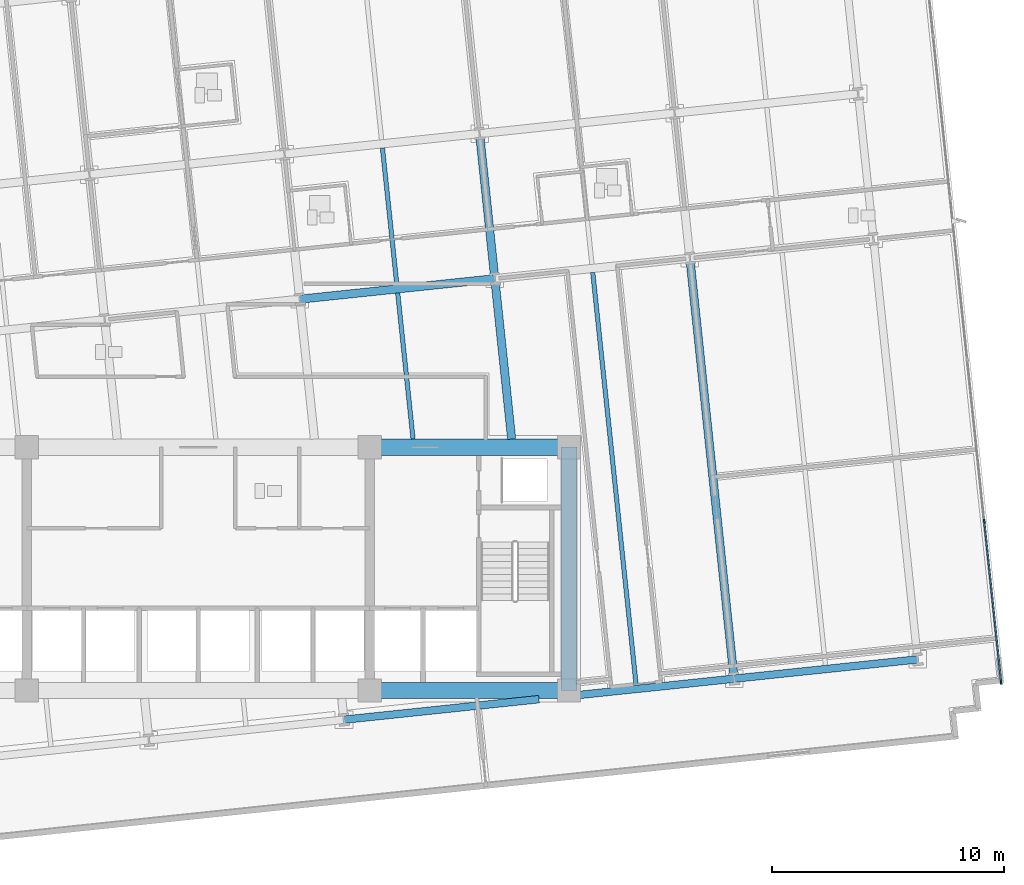
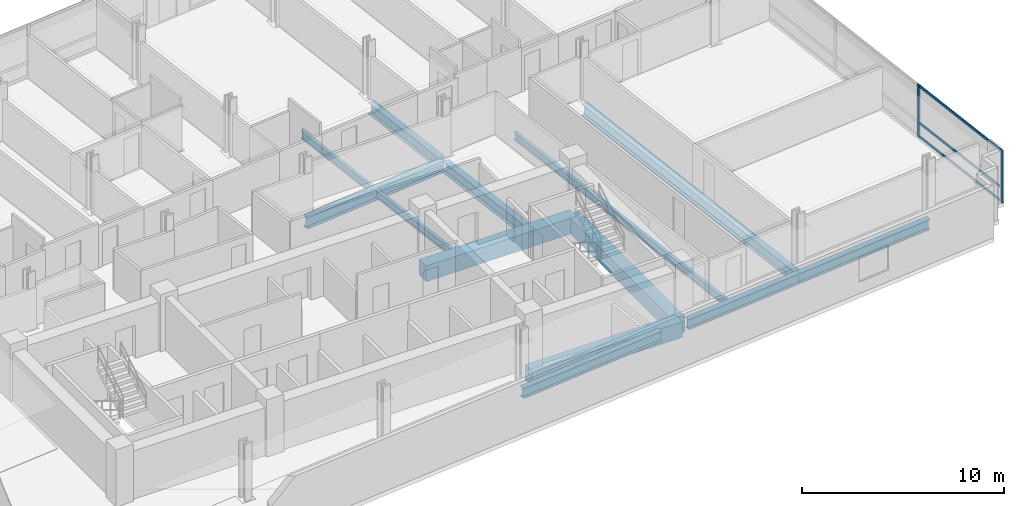
# One storey, part 4 of 19: 13 beams, 5 members, 1 element without a shape of its own.
"""IFC4 building model written with IfcOpenShell, lengths in metres."""

from ifc_helpers import new_model, si_unit, direction, frame, origin, origin_2d, place, context, subcontext, project, spatial, rectangle, i_section, extrude, material, material_profile, profile_set, type_object, element, aggregate, save


model = new_model("IFC4")

# Units and contexts
model_context = context("Model", 3, precision=1e-05, world=origin(), true_north=direction((0.0, 1.0)))
body_context = subcontext(model_context, "Body", "Model", "MODEL_VIEW")
ifc_project = project(units=[si_unit("LENGTHUNIT", "METRE"), si_unit("AREAUNIT", "SQUARE_METRE"), si_unit("VOLUMEUNIT", "CUBIC_METRE"), si_unit("PLANEANGLEUNIT", "RADIAN"), si_unit("MASSUNIT", "GRAM", prefix="KILO")], contexts=[model_context])

# Site, building, storey
site_placement = place(None, origin())
site = spatial("IfcSite", under=ifc_project, at=site_placement, CompositionType="ELEMENT")
building_placement = place(site_placement, origin())
building = spatial("IfcBuilding", under=site, at=building_placement, Name="Solmavex Isthmus Hotel", CompositionType="ELEMENT")
storey_placement = place(building_placement, frame((0.0, 0.0, 83.550048828125)))
storey = spatial("IfcBuildingStorey", under=building, at=storey_placement, Name="L22", CompositionType="ELEMENT", Elevation=83.550048828125)

# Beams
ifc_material_1 = material(Name="Steel ASTM A992 Grade 50", Category="steel")
ifc_material_profile_1 = material_profile(ifc_material_1, i_section(OverallWidth=0.354736328125, OverallDepth=0.695556640625, WebThickness=0.015380859375, FlangeThickness=0.02490234375, FilletRadius=0.017822265625, at=origin_2d()), Name="W27X146")
ifc_profile_set_1 = profile_set([ifc_material_profile_1], Name="Steel ASTM A992 Grade 50")
beam_type_1 = type_object("IfcBeamType", Name="BM-BG-W27X146", PredefinedType="BEAM", material=ifc_profile_set_1)
beam_1_placement = place(storey_placement, frame((4.38037109375, 3.888427734375, -0.60791015625), z_axis=(0.994521085209, 0.104536171134, 0.0), x_axis=(-0.104536171134, 0.994521085209, 0.0)))
element("IfcBeam", 1, at=beam_1_placement, inside=storey, type_object=beam_type_1, Name="Floor Girder L22-UG10", PredefinedType="BEAM", context=body_context, shape_type="SweptSolid", body=[
    extrude(i_section(OverallWidth=0.354736328125, OverallDepth=0.695556640625, WebThickness=0.015380859375, FlangeThickness=0.02490234375, FilletRadius=0.017822265625, at=origin_2d()), origin(), (0.0, 0.0, 1.0), 8.466064453125),
])
beam_2_placement = place(storey_placement, frame((13.52783203125, -2.14990234375, -0.60791015625), z_axis=(-0.104544283528, 0.994520232465, 0.0), x_axis=(-0.994520232465, -0.104544283528, 0.0)))
element("IfcBeam", 2, at=beam_2_placement, inside=storey, type_object=beam_type_1, Name="Floor Beam L22-VG40", PredefinedType="BEAM", context=body_context, shape_type="SweptSolid", body=[
    extrude(i_section(OverallWidth=0.354736328125, OverallDepth=0.695556640625, WebThickness=0.015380859375, FlangeThickness=0.02490234375, FilletRadius=0.017822265625, at=origin_2d()), origin(), (0.0, 0.0, 1.0), 6.783935546875),
])
beam_3_placement = place(storey_placement, frame((12.781494140625, 4.949951171875, -0.60791015625), z_axis=(-0.104505160346, 0.994524344328, 0.0), x_axis=(-0.994524344328, -0.104505160346, 0.0)))
element("IfcBeam", 3, at=beam_3_placement, inside=storey, type_object=beam_type_1, Name="Floor Beam L22-VG41", PredefinedType="BEAM", context=body_context, shape_type="SweptSolid", body=[
    extrude(i_section(OverallWidth=0.354736328125, OverallDepth=0.695556640625, WebThickness=0.015380859375, FlangeThickness=0.02490234375, FilletRadius=0.017822265625, at=origin_2d()), origin(), (0.0, 0.0, 1.0), 5.943115234375),
])
beam_4_placement = place(storey_placement, frame((23.1103515625, -12.329345703125, -0.60791015625), z_axis=(-0.104530088192, 0.99452172458, 0.0), x_axis=(-0.99452172458, -0.104530088192, 0.0)))
element("IfcBeam", 4, at=beam_4_placement, inside=storey, type_object=beam_type_1, Name="Floor Beam L22-VG43", PredefinedType="BEAM", context=body_context, shape_type="SweptSolid", body=[
    extrude(i_section(OverallWidth=0.354736328125, OverallDepth=0.695556640625, WebThickness=0.015380859375, FlangeThickness=0.02490234375, FilletRadius=0.017822265625, at=origin_2d()), origin(), (0.0, 0.0, 1.0), 17.909423828125),
])
ifc_material_profile_2 = material_profile(ifc_material_1, i_section(OverallWidth=0.1904296875, OverallDepth=0.456787109375, WebThickness=0.009033203125, FlangeThickness=0.014404296875, FilletRadius=0.0126953125, at=origin_2d()), Name="W18X50")
ifc_profile_set_2 = profile_set([ifc_material_profile_2], Name="Steel ASTM A992 Grade 50")
beam_type_2 = type_object("IfcBeamType", Name="BM-BJ-W18X50", PredefinedType="JOIST", material=ifc_profile_set_2)
beam_5_placement = place(storey_placement, frame((9.271484375, -2.14990234375, -0.488525390625), z_axis=(-0.104524400071, 0.994522322419, 0.0), x_axis=(-0.994522322419, -0.104524400071, 0.0)))
element("IfcBeam", 5, at=beam_5_placement, inside=storey, type_object=beam_type_2, Name="Secondary Floor Joist L22-J13", PredefinedType="JOIST", context=body_context, shape_type="SweptSolid", body=[
    extrude(i_section(OverallWidth=0.1904296875, OverallDepth=0.456787109375, WebThickness=0.009033203125, FlangeThickness=0.014404296875, FilletRadius=0.0126953125, at=origin_2d()), origin(), (0.0, 0.0, 1.0), 6.339111328125),
])
beam_6_placement = place(storey_placement, frame((8.57177734375, 4.50732421875, -0.488525390625), z_axis=(-0.104545790518, 0.994520074048, 0.0), x_axis=(-0.994520074048, -0.104545790518, 0.0)))
element("IfcBeam", 6, at=beam_6_placement, inside=storey, type_object=beam_type_2, Name="Secondary Floor Joist L22-J14", PredefinedType="JOIST", context=body_context, shape_type="SweptSolid", body=[
    extrude(i_section(OverallWidth=0.1904296875, OverallDepth=0.456787109375, WebThickness=0.009033203125, FlangeThickness=0.014404296875, FilletRadius=0.0126953125, at=origin_2d()), origin(), (0.0, 0.0, 1.0), 5.943115234375),
])
beam_7_placement = place(storey_placement, frame((18.900390625, -12.771728515625, -0.488525390625), z_axis=(-0.104516605126, 0.994523141638, 0.0), x_axis=(-0.994523141638, -0.104516605126, 0.0)))
element("IfcBeam", 7, at=beam_7_placement, inside=storey, type_object=beam_type_2, Name="Secondary Floor Joist L22-J16", PredefinedType="JOIST", context=body_context, shape_type="SweptSolid", body=[
    extrude(i_section(OverallWidth=0.1904296875, OverallDepth=0.456787109375, WebThickness=0.009033203125, FlangeThickness=0.014404296875, FilletRadius=0.0126953125, at=origin_2d()), origin(), (0.0, 0.0, 1.0), 17.909423828125),
])
ifc_material_2 = material(Name="Concrete C60/75", Category="concrete")
ifc_material_profile_3 = material_profile(ifc_material_2, rectangle(XDim=0.699951171875, YDim=0.949951171875, at=origin_2d()), Name="RC700X950")
ifc_profile_set_3 = profile_set([ifc_material_profile_3], Name="Concrete C60/75")
beam_type_3 = type_object("IfcBeamType", Name="BM-CB-700X950", PredefinedType="BEAM", material=ifc_profile_set_3)
for number, where, z_axis, x_axis, name in (
    (8, (7.39990234375, -13.0, -0.735107421875), (1.0, 0.0, 0.0), (0.0, 1.0, 0.0), "Core Coupling Beam L22-CB3"),
    (9, (7.39990234375, -2.5, -0.735107421875), (1.0, 0.0, 0.0), (0.0, 1.0, 0.0), "Core Coupling Beam L22-CB6"),
):
    element("IfcBeam", number, at=place(storey_placement, frame(where, z_axis=z_axis, x_axis=x_axis)), inside=storey, type_object=beam_type_3, Name=name, PredefinedType="BEAM", context=body_context, shape_type="SweptSolid", body=[
        extrude(rectangle(XDim=0.699951171875, YDim=0.949951171875, at=origin_2d()), origin(), (0.0, 0.0, 1.0), 8.60009765625),
    ])
beam_8_placement = place(storey_placement, frame((16.0, -13.0, -0.735107421875), z_axis=(0.0, 1.0, 0.0), x_axis=(-1.0, 0.0, 0.0)))
element("IfcBeam", 10, at=beam_8_placement, inside=storey, type_object=beam_type_3, Name="Core Coupling Beam L22-CB8", PredefinedType="BEAM", context=body_context, shape_type="SweptSolid", body=[
    extrude(rectangle(XDim=0.699951171875, YDim=0.949951171875, at=origin_2d()), origin(), (0.0, 0.0, 1.0), 10.5),
])
ifc_material_profile_4 = material_profile(ifc_material_1, i_section(OverallWidth=0.326416015625, OverallDepth=0.621826171875, WebThickness=0.015380859375, FlangeThickness=0.0244140625, FilletRadius=0.01513671875, at=origin_2d()), Name="W24X131")
ifc_profile_set_4 = profile_set([ifc_material_profile_4], Name="Steel ASTM A992 Grade 50")
beam_type_4 = type_object("IfcBeamType", Name="BM-SP-W24X131", PredefinedType="SPANDREL", material=ifc_profile_set_4)
beam_9_placement = place(storey_placement, frame((6.2880859375, -14.261474609375, -0.571044921875), z_axis=(0.994524082861, 0.104507648572, 0.0), x_axis=(-0.104507648572, 0.994524082861, 0.0)))
element("IfcBeam", 11, at=beam_9_placement, inside=storey, type_object=beam_type_4, Name="Floor Girder L22-UG04", PredefinedType="SPANDREL", context=body_context, shape_type="SweptSolid", body=[
    extrude(i_section(OverallWidth=0.326416015625, OverallDepth=0.621826171875, WebThickness=0.015380859375, FlangeThickness=0.0244140625, FilletRadius=0.01513671875, at=origin_2d()), origin(), (0.0, 0.0, 1.0), 8.466064453125),
])
beam_10_placement = place(storey_placement, frame((16.35009765625, -13.2041015625, -0.571044921875), z_axis=(0.994520754079, 0.10453932134, 0.0), x_axis=(-0.10453932134, 0.994520754079, 0.0)))
element("IfcBeam", 12, at=beam_10_placement, inside=storey, type_object=beam_type_4, Name="Floor Girder L22-UG05", PredefinedType="SPANDREL", context=body_context, shape_type="SweptSolid", body=[
    extrude(i_section(OverallWidth=0.326416015625, OverallDepth=0.621826171875, WebThickness=0.015380859375, FlangeThickness=0.0244140625, FilletRadius=0.01513671875, at=origin_2d()), origin(), (0.0, 0.0, 1.0), 6.814697265625),
])
beam_11_placement = place(storey_placement, frame((23.12744140625, -12.49169921875, -0.571044921875), z_axis=(0.994520217478, 0.10454442609, 0.0), x_axis=(-0.10454442609, 0.994520217478, 0.0)))
element("IfcBeam", 13, at=beam_11_placement, inside=storey, type_object=beam_type_4, Name="Floor Girder L22-UG06", PredefinedType="SPANDREL", context=body_context, shape_type="SweptSolid", body=[
    extrude(i_section(OverallWidth=0.326416015625, OverallDepth=0.621826171875, WebThickness=0.015380859375, FlangeThickness=0.0244140625, FilletRadius=0.01513671875, at=origin_2d()), origin(), (0.0, 0.0, 1.0), 7.968017578125),
])

# Curtain wall, members
ifc_material_3 = material(Name="Aluminium alloy 6063-T6", Category="aluminium")
curtain_wall_type = type_object("IfcCurtainWallType", Name="CW-SYS-03", PredefinedType="NOTDEFINED", material=ifc_material_3)
curtain_wall_placement = place(storey_placement, origin())
curtain_wall = element("IfcCurtainWall", 14, at=curtain_wall_placement, inside=storey, type_object=curtain_wall_type, Name="Stick Curtain Wall CWL-L22-E1", PredefinedType="NOTDEFINED")
ifc_material_profile_5 = material_profile(ifc_material_3, rectangle(XDim=0.070068359375, YDim=0.179931640625, at=origin_2d()), Name="CWM-70X180")
ifc_profile_set_5 = profile_set([ifc_material_profile_5], Name="Aluminium alloy 6063-T6")
member_type_1 = type_object("IfcMemberType", Name="CW-SYS-03-MUL", PredefinedType="MULLION", material=ifc_profile_set_5)
member_1_placement = place(storey_placement, frame((34.6552734375, -12.652587890625, 0.0), z_axis=(0.0, 0.0, 1.0), x_axis=(-0.994521893044, -0.104528485381, 0.0)))
member_1 = element("IfcMember", 15, at=member_1_placement, type_object=member_type_1, Name="CW-03 mullion 1", PredefinedType="MULLION", context=body_context, shape_type="SweptSolid", body=[
    extrude(rectangle(XDim=0.070068359375, YDim=0.179931640625, at=origin_2d()), origin(), (0.0, 0.0, 1.0), 3.18994140625),
])
member_2_placement = place(storey_placement, frame((33.92529296875, -5.705810546875, 0.0), z_axis=(0.0, 0.0, 1.0), x_axis=(-0.994521893044, -0.104528485381, 0.0)))
member_2 = element("IfcMember", 16, at=member_2_placement, type_object=member_type_1, Name="CW-03 mullion 2", PredefinedType="MULLION", context=body_context, shape_type="SweptSolid", body=[
    extrude(rectangle(XDim=0.070068359375, YDim=0.179931640625, at=origin_2d()), origin(), (0.0, 0.0, 1.0), 3.18994140625),
])
ifc_material_profile_6 = material_profile(ifc_material_3, rectangle(XDim=0.070068359375, YDim=0.139892578125, at=origin_2d()), Name="CWT-70X140")
ifc_profile_set_6 = profile_set([ifc_material_profile_6], Name="Aluminium alloy 6063-T6")
member_type_2 = type_object("IfcMemberType", Name="CW-SYS-03-TRN", PredefinedType="USERDEFINED", material=ifc_profile_set_6)
member_3_placement = place(storey_placement, frame((34.651611328125, -12.61767578125, 0.070068359375), z_axis=(-0.104508345235, 0.994524009653, 0.0), x_axis=(-0.994524009653, -0.104508345235, 0.0)))
member_3 = element("IfcMember", 17, at=member_3_placement, type_object=member_type_2, Name="CW-03 transom 1.1", ObjectType="TRANSOM", PredefinedType="USERDEFINED", context=body_context, shape_type="SweptSolid", body=[
    extrude(rectangle(XDim=0.070068359375, YDim=0.139892578125, at=origin_2d()), origin(), (0.0, 0.0, 1.0), 6.914794921875),
])
member_4_placement = place(storey_placement, frame((34.651611328125, -12.61767578125, 0.89990234375), z_axis=(-0.104508345235, 0.994524009653, 0.0), x_axis=(-0.994524009653, -0.104508345235, 0.0)))
member_4 = element("IfcMember", 18, at=member_4_placement, type_object=member_type_2, Name="CW-03 transom 1.2", ObjectType="TRANSOM", PredefinedType="USERDEFINED", context=body_context, shape_type="SweptSolid", body=[
    extrude(rectangle(XDim=0.070068359375, YDim=0.139892578125, at=origin_2d()), origin(), (0.0, 0.0, 1.0), 6.914794921875),
])
member_5_placement = place(storey_placement, frame((34.651611328125, -12.61767578125, 3.119873046875), z_axis=(-0.104508345235, 0.994524009653, 0.0), x_axis=(-0.994524009653, -0.104508345235, 0.0)))
member_5 = element("IfcMember", 19, at=member_5_placement, type_object=member_type_2, Name="CW-03 transom 1.3", ObjectType="TRANSOM", PredefinedType="USERDEFINED", context=body_context, shape_type="SweptSolid", body=[
    extrude(rectangle(XDim=0.070068359375, YDim=0.139892578125, at=origin_2d()), origin(), (0.0, 0.0, 1.0), 6.914794921875),
])
aggregate(curtain_wall, [member_1, member_2, member_3, member_4, member_5])

save(model, "model.ifc")
